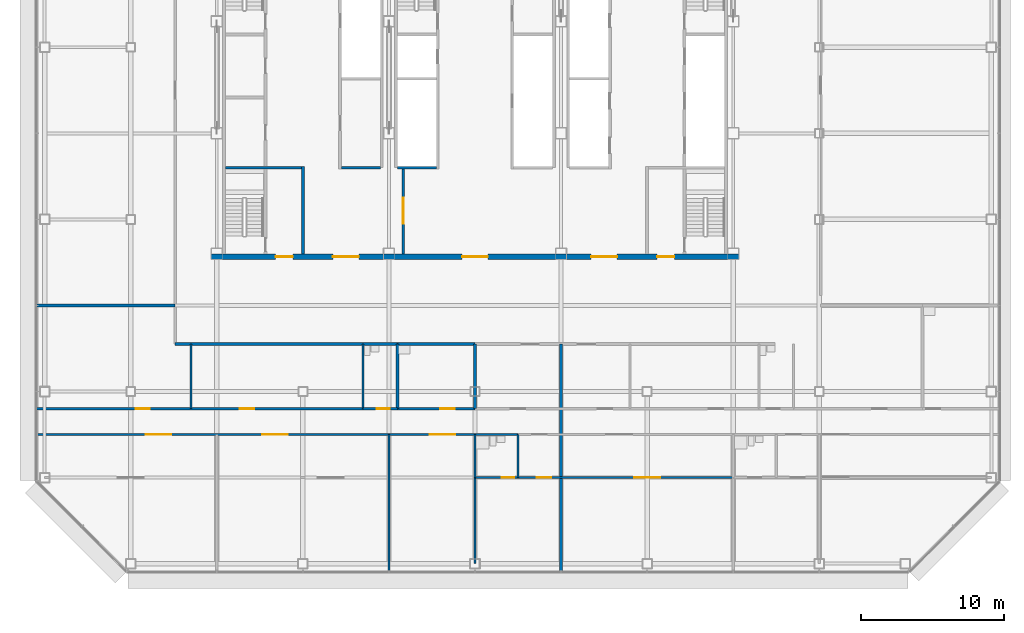
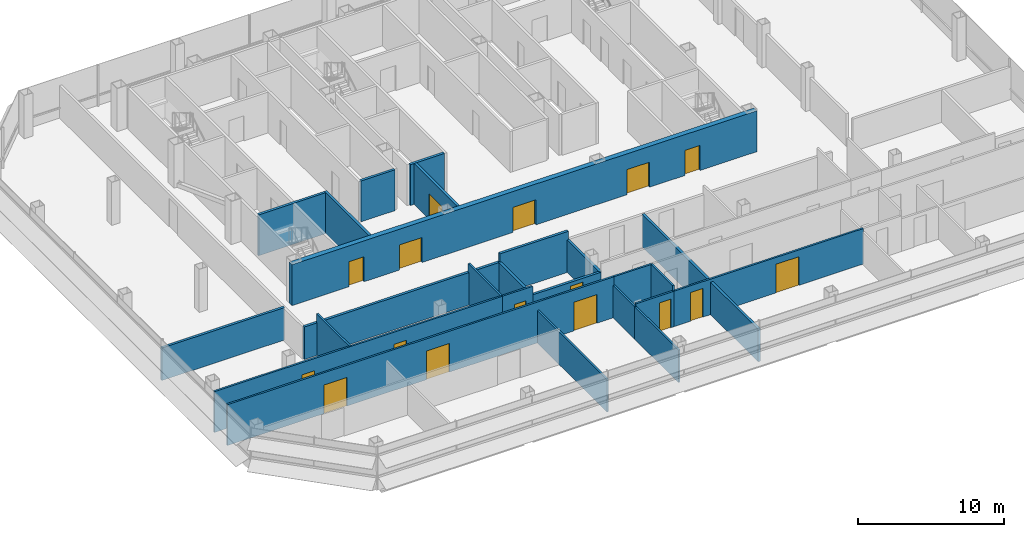
# One storey, part 19 of 24: 25 walls, 16 doors, 16 openings.
"""IFC4 building model written with IfcOpenShell, lengths in metres."""

from ifc_helpers import new_model, si_unit, direction, frame, frame_2d, origin, place, context, subcontext, project, spatial, rectangle, extrude, material, layer, layer_set, type_object, element, fill, save


model = new_model("IFC4")

# Units and contexts
model_context = context("Model", 3, precision=1e-05, world=origin(), true_north=direction((0.0, 1.0)))
body_context = subcontext(model_context, "Body", "Model", "MODEL_VIEW")
ifc_project = project(units=[si_unit("LENGTHUNIT", "METRE"), si_unit("AREAUNIT", "SQUARE_METRE"), si_unit("VOLUMEUNIT", "CUBIC_METRE"), si_unit("PLANEANGLEUNIT", "RADIAN"), si_unit("MASSUNIT", "GRAM", prefix="KILO")], contexts=[model_context])

# Site, building, storey
site_placement = place(None, origin())
site = spatial("IfcSite", under=ifc_project, at=site_placement, CompositionType="ELEMENT")
building_placement = place(site_placement, origin())
building = spatial("IfcBuilding", under=site, at=building_placement, Name="Sorahane Residences", CompositionType="ELEMENT")
storey_placement = place(building_placement, frame((0.0, 0.0, 178.0)))
storey = spatial("IfcBuildingStorey", under=building, at=storey_placement, Name="L41", CompositionType="ELEMENT", Elevation=178.0)

# Walls
ifc_material_1 = material(Name="Concrete blockwork C20 wall", Category="masonry")
ifc_layer_1 = layer(ifc_material_1, 0.199951171875)
ifc_layer_set_1 = layer_set([ifc_layer_1], Name="Corridor wall 200 EI 120")
wall_type_1 = type_object("IfcWallType", Name="Corridor wall 200 EI 120", PredefinedType="SOLIDWALL", material=ifc_layer_set_1)
wall_1_placement = place(storey_placement, frame((3.10009765625, 15.300048828125, 0.0), z_axis=(0.0, 0.0, 1.0), x_axis=(1.0, 0.0, 0.0)))
element("IfcWall", 1, at=wall_1_placement, inside=storey, type_object=wall_type_1, Name="L41 corridor wall", PredefinedType="SOLIDWALL", context=body_context, shape_type="SweptSolid", body=[
    extrude(rectangle(XDim=15.5, YDim=0.199951171875, at=frame_2d((7.75, 0.0))), origin(), (0.0, 0.0, 1.0), 2.719970703125),
])
wall_2_placement = place(storey_placement, frame((-6.60009765625, 18.0, 0.0), z_axis=(0.0, 0.0, 1.0), x_axis=(1.0, 0.0, 0.0)))
element("IfcWall", 2, at=wall_2_placement, inside=storey, type_object=wall_type_1, Name="L41 corridor wall", PredefinedType="SOLIDWALL", context=body_context, shape_type="SweptSolid", body=[
    extrude(rectangle(XDim=9.7001953125, YDim=0.199951171875, at=frame_2d((4.85009765625, 0.0))), origin(), (0.0, 0.0, 1.0), 2.719970703125),
])
ifc_material_2 = material(Name="Concrete C30", Category="concrete")
ifc_layer_2 = layer(ifc_material_2, 0.199951171875)
ifc_layer_set_2 = layer_set([ifc_layer_2], Name="Front room wall 200 EI 120")
wall_type_2 = type_object("IfcWallType", Name="Front room wall 200 EI 120", PredefinedType="PARTITIONING", material=ifc_layer_set_2)
wall_3_placement = place(storey_placement, frame((12.0, 21.60009765625, 0.0), z_axis=(0.0, 0.0, 1.0), x_axis=(0.0, 1.0, 0.0)))
element("IfcWall", 3, at=wall_3_placement, inside=storey, type_object=wall_type_2, Name="L41 front room wall", PredefinedType="PARTITIONING", context=body_context, shape_type="SweptSolid", body=[
    extrude(rectangle(XDim=6.099853515625, YDim=0.199951171875, at=frame_2d((3.0498046875, 0.0))), origin(), (0.0, 0.0, 1.0), 3.419921875),
])
ifc_material_3 = material(Name="Concrete blockwork C20 wall", Category="masonry")
ifc_layer_3 = layer(ifc_material_3, 0.199951171875)
ifc_layer_set_3 = layer_set([ifc_layer_3], Name="Kitchen wall 200 EI 180")
wall_type_3 = type_object("IfcWallType", Name="Kitchen wall 200 EI 180", PredefinedType="SOLIDWALL", material=ifc_layer_set_3)
for number, where, z_axis, x_axis, name in (
    (4, (18.60009765625, 10.800048828125, 0.0), (0.0, 0.0, 1.0), (0.0, 1.0, 0.0), "L41 kitchen wall"),
    (5, (24.0, 10.800048828125, 0.0), (0.0, 0.0, 1.0), (0.0, 1.0, 0.0), "L41 kitchen wall"),
):
    element("IfcWall", number, at=place(storey_placement, frame(where, z_axis=z_axis, x_axis=x_axis)), inside=storey, type_object=wall_type_3, Name=name, PredefinedType="SOLIDWALL", context=body_context, shape_type="SweptSolid", body=[
        extrude(rectangle(XDim=4.5, YDim=0.199951171875, at=frame_2d((2.25, 0.0))), origin(), (0.0, 0.0, 1.0), 2.719970703125),
    ])

# Wall, opening, door
wall_4_placement = place(storey_placement, frame((18.60009765625, 10.800048828125, 0.0), z_axis=(0.0, 0.0, 1.0), x_axis=(1.0, 0.0, 0.0)))
wall_4 = element("IfcWall", 6, at=wall_4_placement, inside=storey, type_object=wall_type_3, Name="L41 kitchen wall", PredefinedType="SOLIDWALL", context=body_context, shape_type="SweptSolid", body=[
    extrude(rectangle(XDim=5.39990234375, YDim=0.199951171875, at=frame_2d((2.699951171875, 0.0))), origin(), (0.0, 0.0, 1.0), 2.719970703125),
])
opening_1_placement = place(wall_4_placement, frame((2.97998046875, 0.0, 0.0)))
opening_1 = element("IfcOpeningElement", 7, at=opening_1_placement, cuts=wall_4, Name="Opening L41-05", PredefinedType="OPENING", context=body_context, shape_type="SweptSolid", body=[
    extrude(rectangle(XDim=1.0, YDim=2.39990234375, at=frame_2d((0.5, 1.199951171875))), frame((0.0, 0.10986328125, 0.0), z_axis=(0.0, -1.0, 0.0), x_axis=(1.0, 0.0, 0.0)), (0.0, 0.0, 1.0), 0.219970703125),
])
ifc_material_4 = material(Name="Steel", Category="steel")
door_type_1 = type_object("IfcDoorType", Name="Kitchen door 1000x2400 FD120", OperationType="NOTDEFINED", PredefinedType="DOOR", material=ifc_material_4)
door_1_placement = place(opening_1_placement, origin())
door_1 = element("IfcDoor", 8, at=door_1_placement, inside=storey, type_object=door_type_1, Name="Kitchen door L41-05", OperationType="SINGLE_SWING_RIGHT", OverallHeight=2.39990234375, OverallWidth=1.0, PredefinedType="DOOR", context=body_context, shape_type="SweptSolid", body=[
    extrude(rectangle(XDim=1.0, YDim=2.39990234375, at=frame_2d((0.5, 1.199951171875))), frame((0.0, 0.02490234375, 0.0), z_axis=(0.0, -1.0, 0.0), x_axis=(1.0, 0.0, 0.0)), (0.0, 0.0, 1.0), 0.050048828125),
])
fill(opening_1, door_1)

# Walls
wall_5_placement = place(storey_placement, frame((18.60009765625, 15.300048828125, 0.0), z_axis=(0.0, 0.0, 1.0), x_axis=(1.0, 0.0, 0.0)))
element("IfcWall", 9, at=wall_5_placement, inside=storey, type_object=wall_type_3, Name="L41 kitchen wall", PredefinedType="SOLIDWALL", context=body_context, shape_type="SweptSolid", body=[
    extrude(rectangle(XDim=5.39990234375, YDim=0.199951171875, at=frame_2d((2.699951171875, 0.0))), origin(), (0.0, 0.0, 1.0), 3.419921875),
])
ifc_material_5 = material(Name="Concrete C30", Category="concrete")
ifc_layer_4 = layer(ifc_material_5, 0.199951171875)
ifc_layer_set_4 = layer_set([ifc_layer_4], Name="Lift shaft wall 200 EI 120")
wall_type_4 = type_object("IfcWallType", Name="Lift shaft wall 200 EI 120", PredefinedType="SOLIDWALL", material=ifc_layer_set_4)
wall_6_placement = place(storey_placement, frame((18.60009765625, 27.60009765625, 0.0), z_axis=(0.0, 0.0, 1.0), x_axis=(1.0, 0.0, 0.0)))
element("IfcWall", 10, at=wall_6_placement, inside=storey, type_object=wall_type_4, Name="L41 lift shaft wall", PredefinedType="SOLIDWALL", context=body_context, shape_type="SweptSolid", body=[
    extrude(rectangle(XDim=2.699951171875, YDim=0.199951171875, at=frame_2d((1.35009765625, 0.0))), origin(), (0.0, 0.0, 1.0), 3.419921875),
])
ifc_material_6 = material(Name="Gypsum board partition on steel studs", Category="steel")
ifc_layer_5 = layer(ifc_material_6, 0.14990234375)
ifc_layer_set_5 = layer_set([ifc_layer_5], Name="Partition 150 EI 90")
wall_type_5 = type_object("IfcWallType", Name="Partition 150 EI 90", PredefinedType="PARTITIONING", material=ifc_layer_set_5)
wall_7_placement = place(storey_placement, frame((18.0, -0.60009765625, 0.0), z_axis=(0.0, 0.0, 1.0), x_axis=(0.0, 1.0, 0.0)))
element("IfcWall", 11, at=wall_7_placement, inside=storey, type_object=wall_type_5, Name="L41 partition", PredefinedType="PARTITIONING", context=body_context, shape_type="SweptSolid", body=[
    extrude(rectangle(XDim=9.60009765625, YDim=0.14990234375, at=frame_2d((4.800048828125, 0.0))), origin(), (0.0, 0.0, 1.0), 2.719970703125),
])
wall_8_placement = place(storey_placement, frame((24.0, 0.0, 0.0), z_axis=(0.0, 0.0, 1.0), x_axis=(0.0, 1.0, 0.0)))
element("IfcWall", 12, at=wall_8_placement, inside=storey, type_object=wall_type_5, Name="L41 partition", PredefinedType="PARTITIONING", context=body_context, shape_type="SweptSolid", body=[
    extrude(rectangle(XDim=6.0, YDim=0.14990234375, at=frame_2d((3.0, 0.0))), origin(), (0.0, 0.0, 1.0), 2.719970703125),
])
wall_9_placement = place(storey_placement, frame((4.199951171875, 10.800048828125, 0.0), z_axis=(0.0, 0.0, 1.0), x_axis=(0.0, 1.0, 0.0)))
element("IfcWall", 13, at=wall_9_placement, inside=storey, type_object=wall_type_5, Name="L41 partition", PredefinedType="PARTITIONING", context=body_context, shape_type="SweptSolid", body=[
    extrude(rectangle(XDim=4.5, YDim=0.14990234375, at=frame_2d((2.25, 0.0))), origin(), (0.0, 0.0, 1.0), 3.419921875),
])

# Wall, openings, doors
wall_10_placement = place(storey_placement, frame((-6.60009765625, 10.800048828125, 0.0), z_axis=(0.0, 0.0, 1.0), x_axis=(1.0, 0.0, 0.0)))
wall_10 = element("IfcWall", 14, at=wall_10_placement, inside=storey, type_object=wall_type_5, Name="L41 partition", PredefinedType="PARTITIONING", context=body_context, shape_type="SweptSolid", body=[
    extrude(rectangle(XDim=22.800048828125, YDim=0.14990234375, at=frame_2d((11.39990234375, 0.0))), origin(), (0.0, 0.0, 1.0), 3.419921875),
])
opening_2_placement = place(wall_10_placement, frame((6.93994140625, 0.0, 0.0)))
opening_2 = element("IfcOpeningElement", 15, at=opening_2_placement, cuts=wall_10, Name="Opening L41-02", PredefinedType="OPENING", context=body_context, shape_type="SweptSolid", body=[
    extrude(rectangle(XDim=1.0, YDim=2.39990234375, at=frame_2d((0.5, 1.199951171875))), frame((0.0, 0.0849609375, 0.0), z_axis=(0.0, -1.0, 0.0), x_axis=(1.0, 0.0, 0.0)), (0.0, 0.0, 1.0), 0.169921875),
])
opening_3_placement = place(wall_10_placement, frame((14.199951171875, 0.0, 0.0)))
opening_3 = element("IfcOpeningElement", 16, at=opening_3_placement, cuts=wall_10, Name="Opening L41-03", PredefinedType="OPENING", context=body_context, shape_type="SweptSolid", body=[
    extrude(rectangle(XDim=1.0, YDim=2.39990234375, at=frame_2d((0.5, 1.199951171875))), frame((0.0, 0.0849609375, 0.0), z_axis=(0.0, -1.0, 0.0), x_axis=(1.0, 0.0, 0.0)), (0.0, 0.0, 1.0), 0.169921875),
])
ifc_material_7 = material(Name="Timber veneered fire door", Category="wood")
door_type_2 = type_object("IfcDoorType", Name="Room door 1000x2400 FD30", OperationType="NOTDEFINED", PredefinedType="DOOR", material=ifc_material_7)
door_2_placement = place(opening_2_placement, origin())
door_2 = element("IfcDoor", 17, at=door_2_placement, inside=storey, type_object=door_type_2, Name="Room door L41-02", OperationType="SINGLE_SWING_RIGHT", OverallHeight=2.39990234375, OverallWidth=1.0, PredefinedType="DOOR", context=body_context, shape_type="SweptSolid", body=[
    extrude(rectangle(XDim=1.0, YDim=2.39990234375, at=frame_2d((0.5, 1.199951171875))), frame((0.0, 0.02490234375, 0.0), z_axis=(0.0, -1.0, 0.0), x_axis=(1.0, 0.0, 0.0)), (0.0, 0.0, 1.0), 0.050048828125),
])
fill(opening_2, door_2)
door_3_placement = place(opening_3_placement, origin())
door_3 = element("IfcDoor", 18, at=door_3_placement, inside=storey, type_object=door_type_2, Name="Room door L41-03", OperationType="SINGLE_SWING_LEFT", OverallHeight=2.39990234375, OverallWidth=1.0, PredefinedType="DOOR", context=body_context, shape_type="SweptSolid", body=[
    extrude(rectangle(XDim=1.0, YDim=2.39990234375, at=frame_2d((0.5, 1.199951171875))), frame((0.0, 0.02490234375, 0.0), z_axis=(0.0, -1.0, 0.0), x_axis=(1.0, 0.0, 0.0)), (0.0, 0.0, 1.0), 0.050048828125),
])
fill(opening_3, door_3)

wall_11_placement = place(storey_placement, frame((27.0, 6.0, 0.0), z_axis=(0.0, 0.0, 1.0), x_axis=(1.0, 0.0, 0.0)))
wall_11 = element("IfcWall", 19, at=wall_11_placement, inside=storey, type_object=wall_type_5, Name="L41 partition", PredefinedType="PARTITIONING", context=body_context, shape_type="SweptSolid", body=[
    extrude(rectangle(XDim=15.0, YDim=0.14990234375, at=frame_2d((7.5, 0.0))), origin(), (0.0, 0.0, 1.0), 2.969970703125),
])
opening_4_placement = place(wall_11_placement, frame((1.300048828125, 0.0, 0.0)))
opening_4 = element("IfcOpeningElement", 20, at=opening_4_placement, cuts=wall_11, Name="Opening L41-12", PredefinedType="OPENING", context=body_context, shape_type="SweptSolid", body=[
    extrude(rectangle(XDim=1.0, YDim=2.39990234375, at=frame_2d((0.5, 1.199951171875))), frame((0.0, 0.0849609375, 0.0), z_axis=(0.0, -1.0, 0.0), x_axis=(1.0, 0.0, 0.0)), (0.0, 0.0, 1.0), 0.169921875),
])
opening_5_placement = place(wall_11_placement, frame((8.10009765625, 0.0, 0.0)))
opening_5 = element("IfcOpeningElement", 21, at=opening_5_placement, cuts=wall_11, Name="Opening L41-22", PredefinedType="OPENING", context=body_context, shape_type="SweptSolid", body=[
    extrude(rectangle(XDim=1.800048828125, YDim=2.39990234375, at=frame_2d((0.89990234375, 1.199951171875))), frame((0.0, 0.0849609375, 0.0), z_axis=(0.0, -1.0, 0.0), x_axis=(1.0, 0.0, 0.0)), (0.0, 0.0, 1.0), 0.169921875),
])
ifc_material_8 = material(Name="Timber veneered fire door", Category="wood")
door_type_3 = type_object("IfcDoorType", Name="Double door 1800x2400 FD30", OperationType="NOTDEFINED", PredefinedType="DOOR", material=ifc_material_8)
door_4_placement = place(opening_5_placement, frame((1.800048828125, 0.0, 0.0), z_axis=(0.0, 0.0, 1.0), x_axis=(-1.0, 0.0, 0.0)))
door_4 = element("IfcDoor", 22, at=door_4_placement, inside=storey, type_object=door_type_3, Name="Double door L41-22", OperationType="SINGLE_SWING_RIGHT", OverallHeight=2.39990234375, OverallWidth=1.800048828125, PredefinedType="DOOR", context=body_context, shape_type="SweptSolid", body=[
    extrude(rectangle(XDim=1.800048828125, YDim=2.39990234375, at=frame_2d((0.89990234375, 1.199951171875))), frame((0.0, 0.02490234375, 0.0), z_axis=(0.0, -1.0, 0.0), x_axis=(1.0, 0.0, 0.0)), (0.0, 0.0, 1.0), 0.050048828125),
])
fill(opening_5, door_4)
door_5_placement = place(opening_4_placement, frame((1.0, 0.0, 0.0), z_axis=(0.0, 0.0, 1.0), x_axis=(-1.0, 0.0, 0.0)))
door_5 = element("IfcDoor", 23, at=door_5_placement, inside=storey, type_object=door_type_2, Name="Room door L41-12", OperationType="SINGLE_SWING_RIGHT", OverallHeight=2.39990234375, OverallWidth=1.0, PredefinedType="DOOR", context=body_context, shape_type="SweptSolid", body=[
    extrude(rectangle(XDim=1.0, YDim=2.39990234375, at=frame_2d((0.5, 1.199951171875))), frame((0.0, 0.02490234375, 0.0), z_axis=(0.0, -1.0, 0.0), x_axis=(1.0, 0.0, 0.0)), (0.0, 0.0, 1.0), 0.050048828125),
])
fill(opening_4, door_5)

wall_12_placement = place(storey_placement, frame((-6.60009765625, 9.0, 0.0), z_axis=(0.0, 0.0, 1.0), x_axis=(1.0, 0.0, 0.0)))
wall_12 = element("IfcWall", 24, at=wall_12_placement, inside=storey, type_object=wall_type_5, Name="L41 partition", PredefinedType="PARTITIONING", context=body_context, shape_type="SweptSolid", body=[
    extrude(rectangle(XDim=30.60009765625, YDim=0.14990234375, at=frame_2d((15.300048828125, 0.0))), origin(), (0.0, 0.0, 1.0), 3.419921875),
])
opening_6_placement = place(wall_12_placement, frame((7.639892578125, 0.0, 0.0)))
opening_6 = element("IfcOpeningElement", 25, at=opening_6_placement, cuts=wall_12, Name="Opening L41-06", PredefinedType="OPENING", context=body_context, shape_type="SweptSolid", body=[
    extrude(rectangle(XDim=1.800048828125, YDim=2.39990234375, at=frame_2d((0.89990234375, 1.199951171875))), frame((0.0, 0.0849609375, 0.0), z_axis=(0.0, -1.0, 0.0), x_axis=(1.0, 0.0, 0.0)), (0.0, 0.0, 1.0), 0.169921875),
])
opening_7_placement = place(wall_12_placement, frame((15.760009765625, 0.0, 0.0)))
opening_7 = element("IfcOpeningElement", 26, at=opening_7_placement, cuts=wall_12, Name="Opening L41-07", PredefinedType="OPENING", context=body_context, shape_type="SweptSolid", body=[
    extrude(rectangle(XDim=1.800048828125, YDim=2.39990234375, at=frame_2d((0.89990234375, 1.199951171875))), frame((0.0, 0.0849609375, 0.0), z_axis=(0.0, -1.0, 0.0), x_axis=(1.0, 0.0, 0.0)), (0.0, 0.0, 1.0), 0.169921875),
])
opening_8_placement = place(wall_12_placement, frame((27.43994140625, 0.0, 0.0)))
opening_8 = element("IfcOpeningElement", 27, at=opening_8_placement, cuts=wall_12, Name="Opening L41-08", PredefinedType="OPENING", context=body_context, shape_type="SweptSolid", body=[
    extrude(rectangle(XDim=1.800048828125, YDim=2.39990234375, at=frame_2d((0.89990234375, 1.199951171875))), frame((0.0, 0.0849609375, 0.0), z_axis=(0.0, -1.0, 0.0), x_axis=(1.0, 0.0, 0.0)), (0.0, 0.0, 1.0), 0.169921875),
])
door_6_placement = place(opening_6_placement, frame((1.800048828125, 0.0, 0.0), z_axis=(0.0, 0.0, 1.0), x_axis=(-1.0, 0.0, 0.0)))
door_6 = element("IfcDoor", 28, at=door_6_placement, inside=storey, type_object=door_type_3, Name="Double door L41-06", OperationType="SINGLE_SWING_RIGHT", OverallHeight=2.39990234375, OverallWidth=1.800048828125, PredefinedType="DOOR", context=body_context, shape_type="SweptSolid", body=[
    extrude(rectangle(XDim=1.800048828125, YDim=2.39990234375, at=frame_2d((0.89990234375, 1.199951171875))), frame((0.0, 0.02490234375, 0.0), z_axis=(0.0, -1.0, 0.0), x_axis=(1.0, 0.0, 0.0)), (0.0, 0.0, 1.0), 0.050048828125),
])
fill(opening_6, door_6)
door_7_placement = place(opening_7_placement, frame((1.800048828125, 0.0, 0.0), z_axis=(0.0, 0.0, 1.0), x_axis=(-1.0, 0.0, 0.0)))
door_7 = element("IfcDoor", 29, at=door_7_placement, inside=storey, type_object=door_type_3, Name="Double door L41-07", OperationType="SINGLE_SWING_RIGHT", OverallHeight=2.39990234375, OverallWidth=1.800048828125, PredefinedType="DOOR", context=body_context, shape_type="SweptSolid", body=[
    extrude(rectangle(XDim=1.800048828125, YDim=2.39990234375, at=frame_2d((0.89990234375, 1.199951171875))), frame((0.0, 0.02490234375, 0.0), z_axis=(0.0, -1.0, 0.0), x_axis=(1.0, 0.0, 0.0)), (0.0, 0.0, 1.0), 0.050048828125),
])
fill(opening_7, door_7)
door_8_placement = place(opening_8_placement, frame((1.800048828125, 0.0, 0.0), z_axis=(0.0, 0.0, 1.0), x_axis=(-1.0, 0.0, 0.0)))
door_8 = element("IfcDoor", 30, at=door_8_placement, inside=storey, type_object=door_type_3, Name="Double door L41-08", OperationType="SINGLE_SWING_LEFT", OverallHeight=2.39990234375, OverallWidth=1.800048828125, PredefinedType="DOOR", context=body_context, shape_type="SweptSolid", body=[
    extrude(rectangle(XDim=1.800048828125, YDim=2.39990234375, at=frame_2d((0.89990234375, 1.199951171875))), frame((0.0, 0.02490234375, 0.0), z_axis=(0.0, -1.0, 0.0), x_axis=(1.0, 0.0, 0.0)), (0.0, 0.0, 1.0), 0.050048828125),
])
fill(opening_8, door_8)

# Wall
ifc_material_9 = material(Name="Concrete blockwork C20 wall", Category="masonry")
ifc_layer_6 = layer(ifc_material_9, 0.199951171875)
ifc_layer_set_6 = layer_set([ifc_layer_6], Name="Party wall 200 EI 120")
wall_type_6 = type_object("IfcWallType", Name="Party wall 200 EI 120", PredefinedType="SOLIDWALL", material=ifc_layer_set_6)
wall_13_placement = place(storey_placement, frame((30.0, -0.60009765625, 0.0), z_axis=(0.0, 0.0, 1.0), x_axis=(0.0, 1.0, 0.0)))
element("IfcWall", 31, at=wall_13_placement, inside=storey, type_object=wall_type_6, Name="L41 party wall", PredefinedType="SOLIDWALL", context=body_context, shape_type="SweptSolid", body=[
    extrude(rectangle(XDim=15.900146484375, YDim=0.199951171875, at=frame_2d((7.9501953125, 0.0))), origin(), (0.0, 0.0, 1.0), 2.719970703125),
])

# Wall, opening, door
ifc_material_10 = material(Name="Concrete C30", Category="concrete")
ifc_layer_7 = layer(ifc_material_10, 0.199951171875)
ifc_layer_set_7 = layer_set([ifc_layer_7], Name="Service room partition 200 EI 60")
wall_type_7 = type_object("IfcWallType", Name="Service room partition 200 EI 60", PredefinedType="PARTITIONING", material=ifc_layer_set_7)
wall_14_placement = place(storey_placement, frame((19.0, 21.60009765625, 0.0), z_axis=(0.0, 0.0, 1.0), x_axis=(0.0, 1.0, 0.0)))
wall_14 = element("IfcWall", 32, at=wall_14_placement, inside=storey, type_object=wall_type_7, Name="L41 service room wall", PredefinedType="PARTITIONING", context=body_context, shape_type="SweptSolid", body=[
    extrude(rectangle(XDim=6.0, YDim=0.199951171875, at=frame_2d((3.0, 0.0))), origin(), (0.0, 0.0, 1.0), 3.419921875),
])
opening_9_placement = place(wall_14_placement, frame((2.10009765625, 0.0, 0.0)))
opening_9 = element("IfcOpeningElement", 33, at=opening_9_placement, cuts=wall_14, Name="Opening L41-C02", PredefinedType="OPENING", context=body_context, shape_type="SweptSolid", body=[
    extrude(rectangle(XDim=1.800048828125, YDim=2.10009765625, at=frame_2d((0.89990234375, 1.050048828125))), frame((0.0, 0.10986328125, 0.0), z_axis=(0.0, -1.0, 0.0), x_axis=(1.0, 0.0, 0.0)), (0.0, 0.0, 1.0), 0.219970703125),
])
ifc_material_11 = material(Name="Steel", Category="steel")
door_type_4 = type_object("IfcDoorType", Name="Waiting hall door 1800x2100 FD60", OperationType="NOTDEFINED", PredefinedType="DOOR", material=ifc_material_11)
door_9_placement = place(opening_9_placement, origin())
door_9 = element("IfcDoor", 34, at=door_9_placement, inside=storey, type_object=door_type_4, Name="Waiting hall door Residents' waiting hall west L41", OperationType="SINGLE_SWING_LEFT", OverallHeight=2.10009765625, OverallWidth=1.800048828125, PredefinedType="DOOR", context=body_context, shape_type="SweptSolid", body=[
    extrude(rectangle(XDim=1.800048828125, YDim=2.10009765625, at=frame_2d((0.89990234375, 1.050048828125))), frame((0.0, 0.02490234375, 0.0), z_axis=(0.0, -1.0, 0.0), x_axis=(1.0, 0.0, 0.0)), (0.0, 0.0, 1.0), 0.050048828125),
])
fill(opening_9, door_9)

# Walls
wall_15_placement = place(storey_placement, frame((14.699951171875, 27.60009765625, 0.0), z_axis=(0.0, 0.0, 1.0), x_axis=(1.0, 0.0, 0.0)))
element("IfcWall", 35, at=wall_15_placement, inside=storey, type_object=wall_type_7, Name="L41 service room wall", PredefinedType="PARTITIONING", context=body_context, shape_type="SweptSolid", body=[
    extrude(rectangle(XDim=2.699951171875, YDim=0.199951171875, at=frame_2d((1.35009765625, 0.0))), origin(), (0.0, 0.0, 1.0), 3.419921875),
])
ifc_material_12 = material(Name="Concrete C30", Category="concrete")
ifc_layer_8 = layer(ifc_material_12, 0.199951171875)
ifc_layer_set_8 = layer_set([ifc_layer_8], Name="Stair enclosure wall 200 EI 120")
wall_type_8 = type_object("IfcWallType", Name="Stair enclosure wall 200 EI 120", PredefinedType="SOLIDWALL", material=ifc_layer_set_8)
wall_16_placement = place(storey_placement, frame((6.60009765625, 27.60009765625, 0.0), z_axis=(0.0, 0.0, 1.0), x_axis=(1.0, 0.0, 0.0)))
element("IfcWall", 36, at=wall_16_placement, inside=storey, type_object=wall_type_8, Name="L41 stair enclosure wall", PredefinedType="SOLIDWALL", context=body_context, shape_type="SweptSolid", body=[
    extrude(rectangle(XDim=5.2998046875, YDim=0.199951171875, at=frame_2d((2.64990234375, 0.0))), origin(), (0.0, 0.0, 1.0), 3.419921875),
])

# Wall, openings, doors
ifc_material_13 = material(Name="Concrete C30", Category="concrete")
ifc_layer_9 = layer(ifc_material_13, 0.39990234375)
ifc_layer_set_9 = layer_set([ifc_layer_9], Name="Waiting hall wall 400 EI 120")
wall_type_9 = type_object("IfcWallType", Name="Waiting hall wall 400 EI 120", PredefinedType="SOLIDWALL", material=ifc_layer_set_9)
wall_17_placement = place(storey_placement, frame((5.60009765625, 21.39990234375, 0.0), z_axis=(0.0, 0.0, 1.0), x_axis=(1.0, 0.0, 0.0)))
wall_17 = element("IfcWall", 37, at=wall_17_placement, inside=storey, type_object=wall_type_9, Name="L41 waiting hall wall", PredefinedType="SOLIDWALL", context=body_context, shape_type="SweptSolid", body=[
    extrude(rectangle(XDim=36.7998046875, YDim=0.39990234375, at=frame_2d((18.39990234375, 0.0))), origin(), (0.0, 0.0, 1.0), 3.419921875),
])
opening_10_placement = place(wall_17_placement, frame((8.5, 0.0, 0.0)))
opening_10 = element("IfcOpeningElement", 38, at=opening_10_placement, cuts=wall_17, Name="Opening L41-C01", PredefinedType="OPENING", context=body_context, shape_type="SweptSolid", body=[
    extrude(rectangle(XDim=1.800048828125, YDim=2.10009765625, at=frame_2d((0.89990234375, 1.050048828125))), frame((0.0, 0.2099609375, 0.0), z_axis=(0.0, -1.0, 0.0), x_axis=(1.0, 0.0, 0.0)), (0.0, 0.0, 1.0), 0.419921875),
])
opening_11_placement = place(wall_17_placement, frame((17.5, 0.0, 0.0)))
opening_11 = element("IfcOpeningElement", 39, at=opening_11_placement, cuts=wall_17, Name="Opening L41-C03", PredefinedType="OPENING", context=body_context, shape_type="SweptSolid", body=[
    extrude(rectangle(XDim=1.800048828125, YDim=2.10009765625, at=frame_2d((0.89990234375, 1.050048828125))), frame((0.0, 0.2099609375, 0.0), z_axis=(0.0, -1.0, 0.0), x_axis=(1.0, 0.0, 0.0)), (0.0, 0.0, 1.0), 0.419921875),
])
opening_12_placement = place(wall_17_placement, frame((26.5, 0.0, 0.0)))
opening_12 = element("IfcOpeningElement", 40, at=opening_12_placement, cuts=wall_17, Name="Opening L41-C04", PredefinedType="OPENING", context=body_context, shape_type="SweptSolid", body=[
    extrude(rectangle(XDim=1.800048828125, YDim=2.10009765625, at=frame_2d((0.89990234375, 1.050048828125))), frame((0.0, 0.2099609375, 0.0), z_axis=(0.0, -1.0, 0.0), x_axis=(1.0, 0.0, 0.0)), (0.0, 0.0, 1.0), 0.419921875),
])
opening_13_placement = place(wall_17_placement, frame((4.5, 0.0, 0.0)))
opening_13 = element("IfcOpeningElement", 41, at=opening_13_placement, cuts=wall_17, Name="Opening L41-C05", PredefinedType="OPENING", context=body_context, shape_type="SweptSolid", body=[
    extrude(rectangle(XDim=1.199951171875, YDim=2.10009765625, at=frame_2d((0.60009765625, 1.050048828125))), frame((0.0, 0.2099609375, 0.0), z_axis=(0.0, -1.0, 0.0), x_axis=(1.0, 0.0, 0.0)), (0.0, 0.0, 1.0), 0.419921875),
])
opening_14_placement = place(wall_17_placement, frame((31.10009765625, 0.0, 0.0)))
opening_14 = element("IfcOpeningElement", 42, at=opening_14_placement, cuts=wall_17, Name="Opening L41-C06", PredefinedType="OPENING", context=body_context, shape_type="SweptSolid", body=[
    extrude(rectangle(XDim=1.199951171875, YDim=2.10009765625, at=frame_2d((0.60009765625, 1.050048828125))), frame((0.0, 0.2099609375, 0.0), z_axis=(0.0, -1.0, 0.0), x_axis=(1.0, 0.0, 0.0)), (0.0, 0.0, 1.0), 0.419921875),
])
ifc_material_14 = material(Name="Steel", Category="steel")
door_type_5 = type_object("IfcDoorType", Name="Stair front room door 1200x2100 FD120", OperationType="NOTDEFINED", PredefinedType="DOOR", material=ifc_material_14)
door_10_placement = place(opening_13_placement, frame((1.199951171875, 0.0, 0.0), z_axis=(0.0, 0.0, 1.0), x_axis=(-1.0, 0.0, 0.0)))
door_10 = element("IfcDoor", 43, at=door_10_placement, inside=storey, type_object=door_type_5, Name="Stair front room door Stair S4 front room L41", OperationType="SINGLE_SWING_LEFT", OverallHeight=2.10009765625, OverallWidth=1.199951171875, PredefinedType="DOOR", context=body_context, shape_type="SweptSolid", body=[
    extrude(rectangle(XDim=1.199951171875, YDim=2.10009765625, at=frame_2d((0.60009765625, 1.050048828125))), frame((0.0, 0.02490234375, 0.0), z_axis=(0.0, -1.0, 0.0), x_axis=(1.0, 0.0, 0.0)), (0.0, 0.0, 1.0), 0.050048828125),
])
fill(opening_13, door_10)
door_11_placement = place(opening_14_placement, frame((1.199951171875, 0.0, 0.0), z_axis=(0.0, 0.0, 1.0), x_axis=(-1.0, 0.0, 0.0)))
door_11 = element("IfcDoor", 44, at=door_11_placement, inside=storey, type_object=door_type_5, Name="Stair front room door Stair S5 front room L41", OperationType="SINGLE_SWING_LEFT", OverallHeight=2.10009765625, OverallWidth=1.199951171875, PredefinedType="DOOR", context=body_context, shape_type="SweptSolid", body=[
    extrude(rectangle(XDim=1.199951171875, YDim=2.10009765625, at=frame_2d((0.60009765625, 1.050048828125))), frame((0.0, 0.02490234375, 0.0), z_axis=(0.0, -1.0, 0.0), x_axis=(1.0, 0.0, 0.0)), (0.0, 0.0, 1.0), 0.050048828125),
])
fill(opening_14, door_11)
door_12_placement = place(opening_10_placement, frame((1.800048828125, 0.0, 0.0), z_axis=(0.0, 0.0, 1.0), x_axis=(-1.0, 0.0, 0.0)))
door_12 = element("IfcDoor", 45, at=door_12_placement, inside=storey, type_object=door_type_4, Name="Waiting hall door Residents' waiting hall west L41", OperationType="SINGLE_SWING_LEFT", OverallHeight=2.10009765625, OverallWidth=1.800048828125, PredefinedType="DOOR", context=body_context, shape_type="SweptSolid", body=[
    extrude(rectangle(XDim=1.800048828125, YDim=2.10009765625, at=frame_2d((0.89990234375, 1.050048828125))), frame((0.0, 0.02490234375, 0.0), z_axis=(0.0, -1.0, 0.0), x_axis=(1.0, 0.0, 0.0)), (0.0, 0.0, 1.0), 0.050048828125),
])
fill(opening_10, door_12)
door_13_placement = place(opening_11_placement, frame((1.800048828125, 0.0, 0.0), z_axis=(0.0, 0.0, 1.0), x_axis=(-1.0, 0.0, 0.0)))
door_13 = element("IfcDoor", 46, at=door_13_placement, inside=storey, type_object=door_type_4, Name="Waiting hall door Residents' waiting hall east L41", OperationType="SINGLE_SWING_LEFT", OverallHeight=2.10009765625, OverallWidth=1.800048828125, PredefinedType="DOOR", context=body_context, shape_type="SweptSolid", body=[
    extrude(rectangle(XDim=1.800048828125, YDim=2.10009765625, at=frame_2d((0.89990234375, 1.050048828125))), frame((0.0, 0.02490234375, 0.0), z_axis=(0.0, -1.0, 0.0), x_axis=(1.0, 0.0, 0.0)), (0.0, 0.0, 1.0), 0.050048828125),
])
fill(opening_11, door_13)
door_14_placement = place(opening_12_placement, frame((1.800048828125, 0.0, 0.0), z_axis=(0.0, 0.0, 1.0), x_axis=(-1.0, 0.0, 0.0)))
door_14 = element("IfcDoor", 47, at=door_14_placement, inside=storey, type_object=door_type_4, Name="Waiting hall door Residents' waiting hall east L41", OperationType="SINGLE_SWING_LEFT", OverallHeight=2.10009765625, OverallWidth=1.800048828125, PredefinedType="DOOR", context=body_context, shape_type="SweptSolid", body=[
    extrude(rectangle(XDim=1.800048828125, YDim=2.10009765625, at=frame_2d((0.89990234375, 1.050048828125))), frame((0.0, 0.02490234375, 0.0), z_axis=(0.0, -1.0, 0.0), x_axis=(1.0, 0.0, 0.0)), (0.0, 0.0, 1.0), 0.050048828125),
])
fill(opening_12, door_14)

# Walls
ifc_material_15 = material(Name="Gypsum board partition on steel studs", Category="steel")
ifc_layer_10 = layer(ifc_material_15, 0.14990234375)
ifc_layer_set_10 = layer_set([ifc_layer_10], Name="Wet wall 150 EI 90")
wall_type_10 = type_object("IfcWallType", Name="Wet wall 150 EI 90", PredefinedType="PARTITIONING", material=ifc_layer_set_10)
wall_18_placement = place(storey_placement, frame((16.199951171875, 10.800048828125, 0.0), z_axis=(0.0, 0.0, 1.0), x_axis=(0.0, 1.0, 0.0)))
element("IfcWall", 48, at=wall_18_placement, inside=storey, type_object=wall_type_10, Name="L41 wet wall", PredefinedType="PARTITIONING", context=body_context, shape_type="SweptSolid", body=[
    extrude(rectangle(XDim=4.5, YDim=0.14990234375, at=frame_2d((2.25, 0.0))), origin(), (0.0, 0.0, 1.0), 3.419921875),
])
wall_19_placement = place(storey_placement, frame((24.0, 6.0, 0.0), z_axis=(0.0, 0.0, 1.0), x_axis=(0.0, 1.0, 0.0)))
element("IfcWall", 49, at=wall_19_placement, inside=storey, type_object=wall_type_10, Name="L41 wet wall", PredefinedType="PARTITIONING", context=body_context, shape_type="SweptSolid", body=[
    extrude(rectangle(XDim=3.0, YDim=0.14990234375, at=frame_2d((1.5, 0.0))), origin(), (0.0, 0.0, 1.0), 2.719970703125),
])
wall_20_placement = place(storey_placement, frame((27.0, 6.0, 0.0), z_axis=(0.0, 0.0, 1.0), x_axis=(0.0, 1.0, 0.0)))
element("IfcWall", 50, at=wall_20_placement, inside=storey, type_object=wall_type_10, Name="L41 wet wall", PredefinedType="PARTITIONING", context=body_context, shape_type="SweptSolid", body=[
    extrude(rectangle(XDim=3.0, YDim=0.14990234375, at=frame_2d((1.5, 0.0))), origin(), (0.0, 0.0, 1.0), 3.419921875),
])

# Wall, opening, door
wall_21_placement = place(storey_placement, frame((16.199951171875, 10.800048828125, 0.0), z_axis=(0.0, 0.0, 1.0), x_axis=(1.0, 0.0, 0.0)))
wall_21 = element("IfcWall", 51, at=wall_21_placement, inside=storey, type_object=wall_type_10, Name="L41 wet wall", PredefinedType="PARTITIONING", context=body_context, shape_type="SweptSolid", body=[
    extrude(rectangle(XDim=2.400146484375, YDim=0.14990234375, at=frame_2d((1.2001953125, 0.0))), origin(), (0.0, 0.0, 1.0), 3.419921875),
])
opening_15_placement = place(wall_21_placement, frame((0.949951171875, 0.0, 0.0)))
opening_15 = element("IfcOpeningElement", 52, at=opening_15_placement, cuts=wall_21, Name="Opening L41-04", PredefinedType="OPENING", context=body_context, shape_type="SweptSolid", body=[
    extrude(rectangle(XDim=0.89990234375, YDim=2.39990234375, at=frame_2d((0.449951171875, 1.199951171875))), frame((0.0, 0.0849609375, 0.0), z_axis=(0.0, -1.0, 0.0), x_axis=(1.0, 0.0, 0.0)), (0.0, 0.0, 1.0), 0.169921875),
])
ifc_material_16 = material(Name="Timber veneered fire door", Category="wood")
door_type_6 = type_object("IfcDoorType", Name="Bathroom door 900x2400 FD30", OperationType="NOTDEFINED", PredefinedType="DOOR", material=ifc_material_16)
door_15_placement = place(opening_15_placement, frame((0.89990234375, 0.0, 0.0), z_axis=(0.0, 0.0, 1.0), x_axis=(-1.0, 0.0, 0.0)))
door_15 = element("IfcDoor", 53, at=door_15_placement, inside=storey, type_object=door_type_6, Name="Bathroom door L41-04", OperationType="SINGLE_SWING_RIGHT", OverallHeight=2.39990234375, OverallWidth=0.89990234375, PredefinedType="DOOR", context=body_context, shape_type="SweptSolid", body=[
    extrude(rectangle(XDim=0.89990234375, YDim=2.39990234375, at=frame_2d((0.449951171875, 1.199951171875))), frame((0.0, 0.02490234375, 0.0), z_axis=(0.0, -1.0, 0.0), x_axis=(1.0, 0.0, 0.0)), (0.0, 0.0, 1.0), 0.050048828125),
])
fill(opening_15, door_15)

wall_22_placement = place(storey_placement, frame((24.0, 6.0, 0.0), z_axis=(0.0, 0.0, 1.0), x_axis=(1.0, 0.0, 0.0)))
wall_22 = element("IfcWall", 54, at=wall_22_placement, inside=storey, type_object=wall_type_10, Name="L41 wet wall", PredefinedType="PARTITIONING", context=body_context, shape_type="SweptSolid", body=[
    extrude(rectangle(XDim=3.0, YDim=0.14990234375, at=frame_2d((1.5, 0.0))), origin(), (0.0, 0.0, 1.0), 2.969970703125),
])
opening_16_placement = place(wall_22_placement, frame((1.85009765625, 0.0, 0.0)))
opening_16 = element("IfcOpeningElement", 55, at=opening_16_placement, cuts=wall_22, Name="Opening L41-13", PredefinedType="OPENING", context=body_context, shape_type="SweptSolid", body=[
    extrude(rectangle(XDim=0.89990234375, YDim=2.39990234375, at=frame_2d((0.449951171875, 1.199951171875))), frame((0.0, 0.0849609375, 0.0), z_axis=(0.0, -1.0, 0.0), x_axis=(1.0, 0.0, 0.0)), (0.0, 0.0, 1.0), 0.169921875),
])
door_16_placement = place(opening_16_placement, frame((0.89990234375, 0.0, 0.0), z_axis=(0.0, 0.0, 1.0), x_axis=(-1.0, 0.0, 0.0)))
door_16 = element("IfcDoor", 56, at=door_16_placement, inside=storey, type_object=door_type_6, Name="Bathroom door L41-13", OperationType="SINGLE_SWING_RIGHT", OverallHeight=2.39990234375, OverallWidth=0.89990234375, PredefinedType="DOOR", context=body_context, shape_type="SweptSolid", body=[
    extrude(rectangle(XDim=0.89990234375, YDim=2.39990234375, at=frame_2d((0.449951171875, 1.199951171875))), frame((0.0, 0.02490234375, 0.0), z_axis=(0.0, -1.0, 0.0), x_axis=(1.0, 0.0, 0.0)), (0.0, 0.0, 1.0), 0.050048828125),
])
fill(opening_16, door_16)

# Wall
wall_23_placement = place(storey_placement, frame((24.0, 9.0, 0.0), z_axis=(0.0, 0.0, 1.0), x_axis=(1.0, 0.0, 0.0)))
element("IfcWall", 57, at=wall_23_placement, inside=storey, type_object=wall_type_10, Name="L41 wet wall", PredefinedType="PARTITIONING", context=body_context, shape_type="SweptSolid", body=[
    extrude(rectangle(XDim=3.0, YDim=0.14990234375, at=frame_2d((1.5, 0.0))), origin(), (0.0, 0.0, 1.0), 3.419921875),
])

save(model, "model.ifc")
